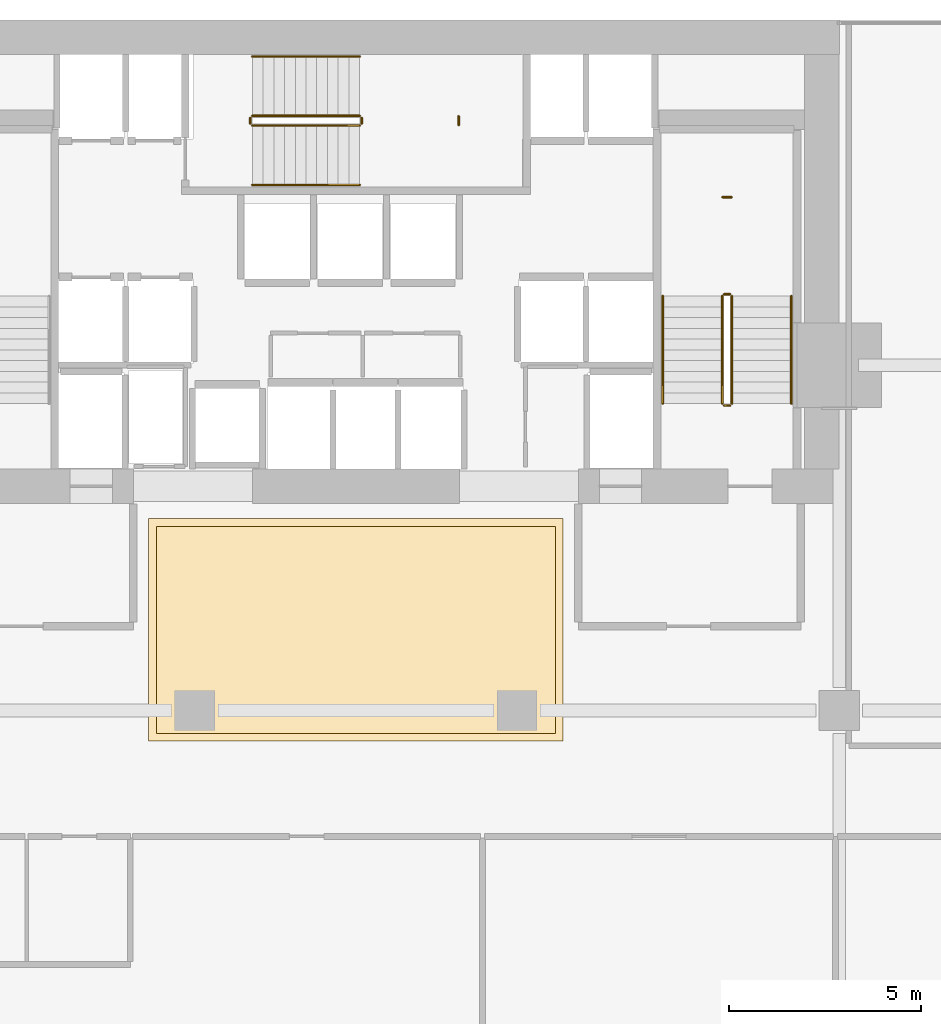
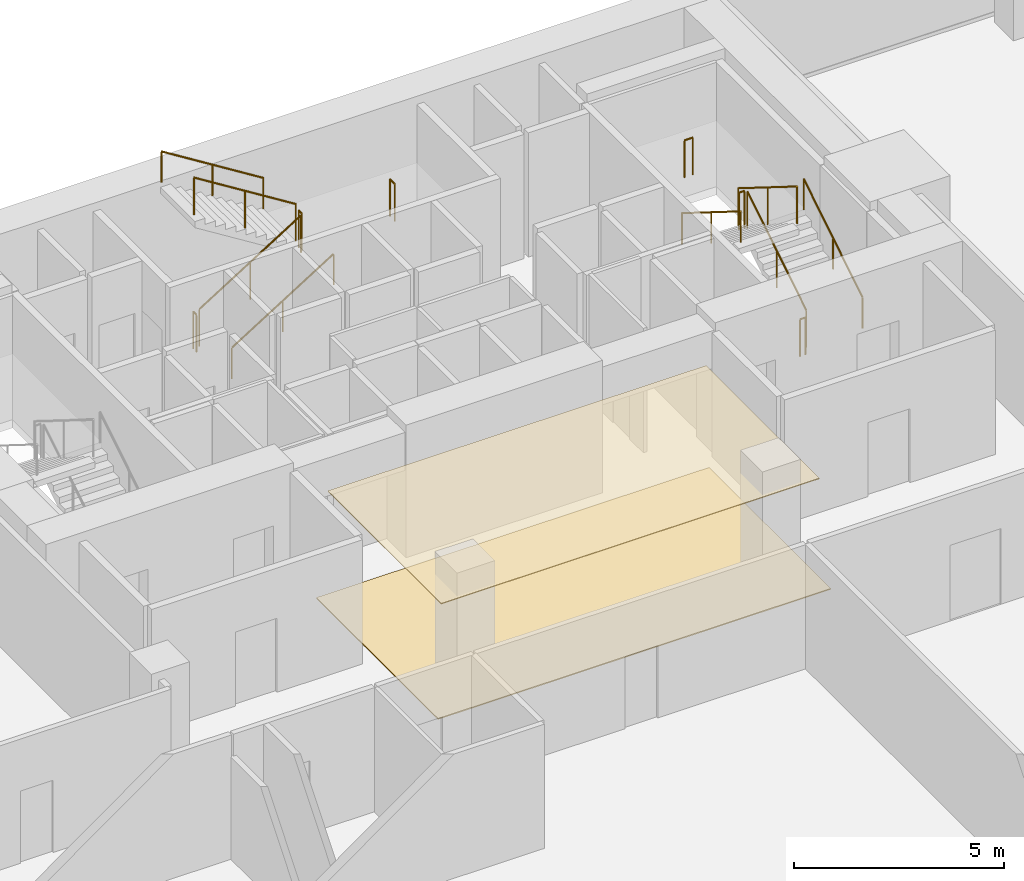
# One storey, part 30 of 31: 14 railings, 2 coverings.
"""IFC4 building model written with IfcOpenShell, lengths in metres."""

from ifc_helpers import new_model, si_unit, direction, frame, origin, origin_2d, place, context, subcontext, project, spatial, polyline, circle, outline, extrude, material, layer, layer_set, type_object, element, save


model = new_model("IFC4")

# Units and contexts
model_context = context("Model", 3, precision=1e-05, world=origin(), true_north=direction((0.0, 1.0)))
body_context = subcontext(model_context, "Body", "Model", "MODEL_VIEW")
ifc_project = project(units=[si_unit("LENGTHUNIT", "METRE"), si_unit("AREAUNIT", "SQUARE_METRE"), si_unit("VOLUMEUNIT", "CUBIC_METRE"), si_unit("PLANEANGLEUNIT", "RADIAN"), si_unit("MASSUNIT", "GRAM", prefix="KILO")], contexts=[model_context])

# Site, building, storey
site_placement = place(None, origin())
site = spatial("IfcSite", under=ifc_project, at=site_placement, CompositionType="ELEMENT")
building_placement = place(site_placement, origin())
building = spatial("IfcBuilding", under=site, at=building_placement, Name="Maruvema Waterfront Hotel and Observation Tower", CompositionType="ELEMENT")
storey_placement = place(building_placement, frame((0.0, 0.0, 26.949951171875)))
storey = spatial("IfcBuildingStorey", under=building, at=storey_placement, Name="L05", CompositionType="ELEMENT", Elevation=26.949951171875)

# Coverings
ifc_material_1 = material(Name="Honed Pernambuco warm granite", Category="masonry")
ifc_layer_1 = layer(ifc_material_1, 0.030029296875, Name="Honed Pernambuco Granite Lobby Flooring 30 mm")
ifc_layer_set_1 = layer_set([ifc_layer_1], Name="Honed Pernambuco warm granite")
covering_type_1 = type_object("IfcCoveringType", Name="Honed Pernambuco Granite Lobby Flooring 30 mm", PredefinedType="FLOORING", material=ifc_layer_set_1)
covering_1_placement = place(storey_placement, origin())
element("IfcCovering", 1, at=covering_1_placement, inside=storey, type_object=covering_type_1, Name="L05 Sky Concourse Granite Flooring", PredefinedType="FLOORING", context=body_context, shape_type="SweptSolid", body=[
    extrude(outline(polyline([(32.39990234375, 35.199951171875), (43.199951171875, 35.199951171875), (43.199951171875, 41.0), (32.39990234375, 41.0), (32.39990234375, 35.199951171875)])), origin(), (0.0, 0.0, 1.0), 0.030029296875),
])
ifc_material_2 = material(Name="Perforated acoustic gypsum board", Category="gypsum")
ifc_layer_2 = layer(ifc_material_2, 0.02490234375, Name="Perforated Acoustic Gypsum Suspended Ceiling 25 mm")
ifc_layer_set_2 = layer_set([ifc_layer_2], Name="Perforated acoustic gypsum board")
covering_type_2 = type_object("IfcCoveringType", Name="Perforated Acoustic Gypsum Suspended Ceiling 25 mm", PredefinedType="CEILING", material=ifc_layer_set_2)
covering_2_placement = place(storey_placement, frame((0.0, 0.0, 3.16015625)))
element("IfcCovering", 2, at=covering_2_placement, inside=storey, type_object=covering_type_2, Name="L05 Sky Concourse Acoustic Ceiling", PredefinedType="CEILING", context=body_context, shape_type="SweptSolid", body=[
    extrude(outline(polyline([(32.60009765625, 35.39990234375), (43.0, 35.39990234375), (43.0, 40.800048828125), (32.60009765625, 40.800048828125), (32.60009765625, 35.39990234375)])), origin(), (0.0, 0.0, 1.0), 0.02490234375),
])

# Railings
ifc_material_3 = material(Name="Brushed stainless steel Grade 316", Category="steel")
railing_type_1 = type_object("IfcRailingType", Name="Ramp Continuous Wall Handrail 920 mm", PredefinedType="HANDRAIL", material=ifc_material_3)
railing_1_placement = place(storey_placement, frame((35.10009765625, 49.699951171875, 0.175048828125)))
element("IfcRailing", 3, at=railing_1_placement, inside=storey, type_object=railing_type_1, Name="L05 ST-02 stair handrail 1", PredefinedType="HANDRAIL", context=body_context, shape_type="SweptSolid", body=[
    extrude(circle(Radius=0.02392578125, at=origin_2d()), frame((0.0, 0.0, 0.89599609375), z_axis=(0.847981687118, 0.0, 0.530025526095), x_axis=(0.0, 1.0, 0.0)), (0.0, 0.0, 1.0), 3.3017578125),
    extrude(circle(Radius=0.02099609375, at=origin_2d()), origin(), (0.0, 0.0, 1.0), 0.871826171875),
    extrude(circle(Radius=0.02099609375, at=origin_2d()), frame((1.39990234375, 0.0, 0.875)), (0.0, 0.0, 1.0), 0.871826171875),
    extrude(circle(Radius=0.02099609375, at=origin_2d()), frame((2.7998046875, 0.0, 1.75)), (0.0, 0.0, 1.0), 0.871826171875),
])
railing_2_placement = place(storey_placement, frame((37.89990234375, 53.050048828125, 2.10009765625)))
element("IfcRailing", 4, at=railing_2_placement, inside=storey, type_object=railing_type_1, Name="L05 ST-02 stair handrail 2", PredefinedType="HANDRAIL", context=body_context, shape_type="SweptSolid", body=[
    extrude(circle(Radius=0.02392578125, at=origin_2d()), frame((0.0, 0.0, 0.89599609375), z_axis=(-0.847981687118, 0.0, 0.530025526095), x_axis=(0.0, -1.0, 0.0)), (0.0, 0.0, 1.0), 3.3017578125),
    extrude(circle(Radius=0.02099609375, at=origin_2d()), origin(), (0.0, 0.0, 1.0), 0.871826171875),
    extrude(circle(Radius=0.02099609375, at=origin_2d()), frame((-1.39990234375, 0.0, 0.875)), (0.0, 0.0, 1.0), 0.871826171875),
    extrude(circle(Radius=0.02099609375, at=origin_2d()), frame((-2.7998046875, 0.0, 1.75)), (0.0, 0.0, 1.0), 0.871826171875),
])
railing_3_placement = place(storey_placement, frame((49.14990234375, 44.0, 0.175048828125)))
element("IfcRailing", 5, at=railing_3_placement, inside=storey, type_object=railing_type_1, Name="L05 ST-03 stair handrail 1", PredefinedType="HANDRAIL", context=body_context, shape_type="SweptSolid", body=[
    extrude(circle(Radius=0.02392578125, at=origin_2d()), frame((0.0, 0.0, 0.89599609375), z_axis=(0.0, 0.848002457836, 0.529992293815), x_axis=(-1.0, 0.0, 0.0)), (0.0, 0.0, 1.0), 3.302001953125),
    extrude(circle(Radius=0.02099609375, at=origin_2d()), origin(), (0.0, 0.0, 1.0), 0.871826171875),
    extrude(circle(Radius=0.02099609375, at=origin_2d()), frame((0.0, 1.39990234375, 0.875)), (0.0, 0.0, 1.0), 0.871826171875),
    extrude(circle(Radius=0.02099609375, at=origin_2d()), frame((0.0, 2.800048828125, 1.75)), (0.0, 0.0, 1.0), 0.871826171875),
])
railing_4_placement = place(storey_placement, frame((45.800048828125, 46.800048828125, 2.10009765625)))
element("IfcRailing", 6, at=railing_4_placement, inside=storey, type_object=railing_type_1, Name="L05 ST-03 stair handrail 2", PredefinedType="HANDRAIL", context=body_context, shape_type="SweptSolid", body=[
    extrude(circle(Radius=0.02392578125, at=origin_2d()), frame((0.0, 0.0, 0.89599609375), z_axis=(0.0, -0.848002457836, 0.529992293815), x_axis=(1.0, 0.0, 0.0)), (0.0, 0.0, 1.0), 3.302001953125),
    extrude(circle(Radius=0.02099609375, at=origin_2d()), origin(), (0.0, 0.0, 1.0), 0.871826171875),
    extrude(circle(Radius=0.02099609375, at=origin_2d()), frame((0.0, -1.39990234375, 0.875)), (0.0, 0.0, 1.0), 0.871826171875),
    extrude(circle(Radius=0.02099609375, at=origin_2d()), frame((0.0, -2.800048828125, 1.75)), (0.0, 0.0, 1.0), 0.871826171875),
])
ifc_material_4 = material(Name="Brushed stainless steel Grade 316", Category="steel")
railing_type_2 = type_object("IfcRailingType", Name="Ramp and Terrace Guard Balustrade 1100 mm", PredefinedType="BALUSTRADE", material=ifc_material_4)
railing_5_placement = place(storey_placement, frame((35.10009765625, 51.25, 0.175048828125)))
element("IfcRailing", 7, at=railing_5_placement, inside=storey, type_object=railing_type_2, Name="L05 ST-02 stair guard 1", PredefinedType="BALUSTRADE", context=body_context, shape_type="SweptSolid", body=[
    extrude(circle(Radius=0.02392578125, at=origin_2d()), frame((0.0, 0.0, 1.076171875), z_axis=(0.847981687118, 0.0, 0.530025526095), x_axis=(0.0, 1.0, 0.0)), (0.0, 0.0, 1.0), 3.3017578125),
    extrude(circle(Radius=0.02099609375, at=origin_2d()), origin(), (0.0, 0.0, 1.0), 1.052001953125),
    extrude(circle(Radius=0.02099609375, at=origin_2d()), frame((1.39990234375, 0.0, 0.875)), (0.0, 0.0, 1.0), 1.052001953125),
    extrude(circle(Radius=0.02099609375, at=origin_2d()), frame((2.7998046875, 0.0, 1.75)), (0.0, 0.0, 1.0), 1.052001953125),
])
railing_6_placement = place(storey_placement, frame((37.949951171875, 51.300048828125, 1.925048828125)))
element("IfcRailing", 8, at=railing_6_placement, inside=storey, type_object=railing_type_2, Name="L05 ST-02 stair guard 2", PredefinedType="BALUSTRADE", context=body_context, shape_type="SweptSolid", body=[
    extrude(circle(Radius=0.02392578125, at=origin_2d()), frame((0.0, 0.0, 1.076171875), z_axis=(0.0, 1.0, 0.0), x_axis=(-1.0, 0.0, 0.0)), (0.0, 0.0, 1.0), 0.14990234375),
    extrude(circle(Radius=0.02099609375, at=origin_2d()), origin(), (0.0, 0.0, 1.0), 1.052001953125),
    extrude(circle(Radius=0.02099609375, at=origin_2d()), frame((0.0, 0.14990234375, 0.0)), (0.0, 0.0, 1.0), 1.052001953125),
])
railing_7_placement = place(storey_placement, frame((37.89990234375, 51.5, 2.10009765625)))
element("IfcRailing", 9, at=railing_7_placement, inside=storey, type_object=railing_type_2, Name="L05 ST-02 stair guard 3", PredefinedType="BALUSTRADE", context=body_context, shape_type="SweptSolid", body=[
    extrude(circle(Radius=0.02392578125, at=origin_2d()), frame((0.0, 0.0, 1.076171875), z_axis=(-0.847981687118, 0.0, 0.530025526095), x_axis=(0.0, -1.0, 0.0)), (0.0, 0.0, 1.0), 3.3017578125),
    extrude(circle(Radius=0.02099609375, at=origin_2d()), origin(), (0.0, 0.0, 1.0), 1.052001953125),
    extrude(circle(Radius=0.02099609375, at=origin_2d()), frame((-1.39990234375, 0.0, 0.875)), (0.0, 0.0, 1.0), 1.052001953125),
    extrude(circle(Radius=0.02099609375, at=origin_2d()), frame((-2.7998046875, 0.0, 1.75)), (0.0, 0.0, 1.0), 1.052001953125),
])
railing_8_placement = place(storey_placement, frame((35.050048828125, 51.300048828125, 0.0)))
element("IfcRailing", 10, at=railing_8_placement, inside=storey, type_object=railing_type_2, Name="L05 ST-02 stair guard 4", PredefinedType="BALUSTRADE", context=body_context, shape_type="SweptSolid", body=[
    extrude(circle(Radius=0.02392578125, at=origin_2d()), frame((0.0, 0.0, 1.076171875), z_axis=(0.0, 1.0, 0.0), x_axis=(-1.0, 0.0, 0.0)), (0.0, 0.0, 1.0), 0.14990234375),
    extrude(circle(Radius=0.02099609375, at=origin_2d()), origin(), (0.0, 0.0, 1.0), 1.052001953125),
    extrude(circle(Radius=0.02099609375, at=origin_2d()), frame((0.0, 0.14990234375, 0.0)), (0.0, 0.0, 1.0), 1.052001953125),
])
railing_9_placement = place(storey_placement, frame((40.47998046875, 51.260009765625, 1.925048828125)))
element("IfcRailing", 11, at=railing_9_placement, inside=storey, type_object=railing_type_2, Name="L05 ST-02 Half-Landing Slot Guard", PredefinedType="BALUSTRADE", context=body_context, shape_type="SweptSolid", body=[
    extrude(circle(Radius=0.02392578125, at=origin_2d()), frame((0.0, 0.0, 1.076171875), z_axis=(0.0, 1.0, 0.0), x_axis=(-1.0, 0.0, 0.0)), (0.0, 0.0, 1.0), 0.22998046875),
    extrude(circle(Radius=0.02099609375, at=origin_2d()), origin(), (0.0, 0.0, 1.0), 1.052001953125),
    extrude(circle(Radius=0.02099609375, at=origin_2d()), frame((0.0, 0.22998046875, 0.0)), (0.0, 0.0, 1.0), 1.052001953125),
])
railing_10_placement = place(storey_placement, frame((47.60009765625, 44.0, 0.175048828125)))
element("IfcRailing", 12, at=railing_10_placement, inside=storey, type_object=railing_type_2, Name="L05 ST-03 stair guard 1", PredefinedType="BALUSTRADE", context=body_context, shape_type="SweptSolid", body=[
    extrude(circle(Radius=0.02392578125, at=origin_2d()), frame((0.0, 0.0, 1.076171875), z_axis=(0.0, 0.848002457836, 0.529992293815), x_axis=(-1.0, 0.0, 0.0)), (0.0, 0.0, 1.0), 3.302001953125),
    extrude(circle(Radius=0.02099609375, at=origin_2d()), origin(), (0.0, 0.0, 1.0), 1.052001953125),
    extrude(circle(Radius=0.02099609375, at=origin_2d()), frame((0.0, 1.39990234375, 0.875)), (0.0, 0.0, 1.0), 1.052001953125),
    extrude(circle(Radius=0.02099609375, at=origin_2d()), frame((0.0, 2.800048828125, 1.75)), (0.0, 0.0, 1.0), 1.052001953125),
])
railing_11_placement = place(storey_placement, frame((47.550048828125, 46.85009765625, 1.925048828125)))
element("IfcRailing", 13, at=railing_11_placement, inside=storey, type_object=railing_type_2, Name="L05 ST-03 stair guard 2", PredefinedType="BALUSTRADE", context=body_context, shape_type="SweptSolid", body=[
    extrude(circle(Radius=0.02392578125, at=origin_2d()), frame((0.0, 0.0, 1.076171875), z_axis=(-1.0, 0.0, 0.0), x_axis=(0.0, -1.0, 0.0)), (0.0, 0.0, 1.0), 0.150146484375),
    extrude(circle(Radius=0.02099609375, at=origin_2d()), origin(), (0.0, 0.0, 1.0), 1.052001953125),
    extrude(circle(Radius=0.02099609375, at=origin_2d()), frame((-0.150146484375, 0.0, 0.0)), (0.0, 0.0, 1.0), 1.052001953125),
])
railing_12_placement = place(storey_placement, frame((47.35009765625, 46.800048828125, 2.10009765625)))
element("IfcRailing", 14, at=railing_12_placement, inside=storey, type_object=railing_type_2, Name="L05 ST-03 stair guard 3", PredefinedType="BALUSTRADE", context=body_context, shape_type="SweptSolid", body=[
    extrude(circle(Radius=0.02392578125, at=origin_2d()), frame((0.0, 0.0, 1.076171875), z_axis=(0.0, -0.848002457836, 0.529992293815), x_axis=(1.0, 0.0, 0.0)), (0.0, 0.0, 1.0), 3.302001953125),
    extrude(circle(Radius=0.02099609375, at=origin_2d()), origin(), (0.0, 0.0, 1.0), 1.052001953125),
    extrude(circle(Radius=0.02099609375, at=origin_2d()), frame((0.0, -1.39990234375, 0.875)), (0.0, 0.0, 1.0), 1.052001953125),
    extrude(circle(Radius=0.02099609375, at=origin_2d()), frame((0.0, -2.800048828125, 1.75)), (0.0, 0.0, 1.0), 1.052001953125),
])
railing_13_placement = place(storey_placement, frame((47.550048828125, 43.949951171875, 0.0)))
element("IfcRailing", 15, at=railing_13_placement, inside=storey, type_object=railing_type_2, Name="L05 ST-03 stair guard 4", PredefinedType="BALUSTRADE", context=body_context, shape_type="SweptSolid", body=[
    extrude(circle(Radius=0.02392578125, at=origin_2d()), frame((0.0, 0.0, 1.076171875), z_axis=(-1.0, 0.0, 0.0), x_axis=(0.0, -1.0, 0.0)), (0.0, 0.0, 1.0), 0.150146484375),
    extrude(circle(Radius=0.02099609375, at=origin_2d()), origin(), (0.0, 0.0, 1.0), 1.052001953125),
    extrude(circle(Radius=0.02099609375, at=origin_2d()), frame((-0.150146484375, 0.0, 0.0)), (0.0, 0.0, 1.0), 1.052001953125),
])
railing_14_placement = place(storey_placement, frame((47.590087890625, 49.3798828125, 1.925048828125)))
element("IfcRailing", 16, at=railing_14_placement, inside=storey, type_object=railing_type_2, Name="L05 ST-03 Half-Landing Slot Guard", PredefinedType="BALUSTRADE", context=body_context, shape_type="SweptSolid", body=[
    extrude(circle(Radius=0.02392578125, at=origin_2d()), frame((0.0, 0.0, 1.076171875), z_axis=(-1.0, 0.0, 0.0), x_axis=(0.0, -1.0, 0.0)), (0.0, 0.0, 1.0), 0.22998046875),
    extrude(circle(Radius=0.02099609375, at=origin_2d()), origin(), (0.0, 0.0, 1.0), 1.052001953125),
    extrude(circle(Radius=0.02099609375, at=origin_2d()), frame((-0.22998046875, 0.0, 0.0)), (0.0, 0.0, 1.0), 1.052001953125),
])

save(model, "model.ifc")
